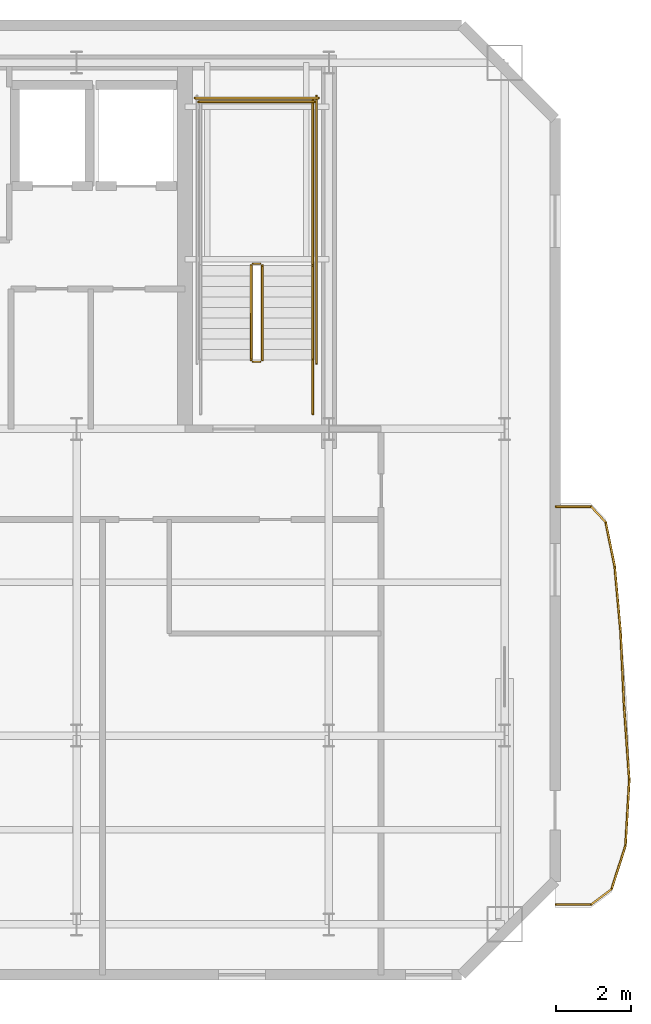
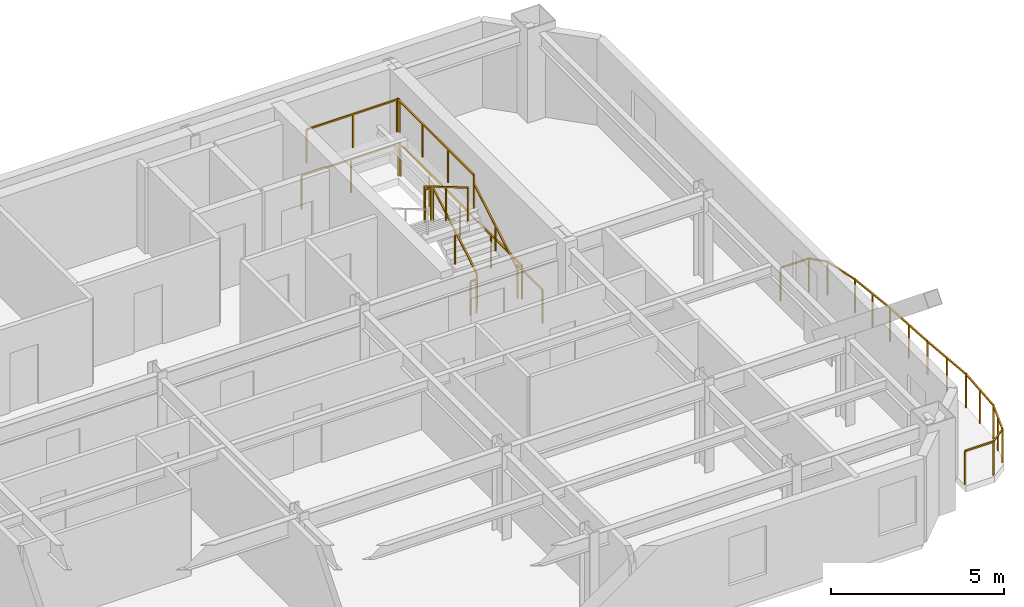
# One storey, part 6 of 6: 20 railings.
"""IFC4 building model written with IfcOpenShell, lengths in metres."""

from ifc_helpers import new_model, si_unit, direction, frame, origin, origin_2d, place, context, subcontext, project, spatial, rectangle, extrude, material, type_object, element, save


model = new_model("IFC4")

# Units and contexts
model_context = context("Model", 3, precision=1e-05, world=origin(), true_north=direction((0.0, 1.0)))
body_context = subcontext(model_context, "Body", "Model", "MODEL_VIEW")
ifc_project = project(units=[si_unit("LENGTHUNIT", "METRE"), si_unit("AREAUNIT", "SQUARE_METRE"), si_unit("VOLUMEUNIT", "CUBIC_METRE"), si_unit("PLANEANGLEUNIT", "RADIAN"), si_unit("MASSUNIT", "GRAM", prefix="KILO")], contexts=[model_context])

# Site, building, storey
site_placement = place(None, origin())
site = spatial("IfcSite", under=ifc_project, at=site_placement, CompositionType="ELEMENT")
building_placement = place(site_placement, origin())
building = spatial("IfcBuilding", under=site, at=building_placement, Name="Haevon Station Towers", CompositionType="ELEMENT")
storey_placement = place(building_placement, frame((0.0, 0.0, 262.5)))
storey = spatial("IfcBuildingStorey", under=building, at=storey_placement, Name="L73", CompositionType="ELEMENT", Elevation=262.5)

# Railings
ifc_material = material(Name="Steel S355", Category="steel")
railing_type_1 = type_object("IfcRailingType", Name="GRD-EXT1200", PredefinedType="GUARDRAIL", material=ifc_material)
railing_1_placement = place(storey_placement, frame((57.0732421875, 25.477783203125, 0.0)))
element("IfcRailing", 1, at=railing_1_placement, inside=storey, type_object=railing_type_1, Name="L73 Perimeter Guardrail 1", PredefinedType="GUARDRAIL", context=body_context, shape_type="SweptSolid", body=[
    extrude(rectangle(XDim=0.048095703125, YDim=0.048095703125, at=origin_2d()), frame((0.0, 0.0, 1.17578125), z_axis=(0.999997288846, 0.002328583596, 0.0), x_axis=(-0.002328583596, 0.999997288846, 0.0)), (0.0, 0.0, 1.0), 0.943603515625),
    extrude(rectangle(XDim=0.0419921875, YDim=0.0419921875, at=origin_2d()), origin(), (0.0, 0.0, 1.0), 1.15185546875),
    extrude(rectangle(XDim=0.0419921875, YDim=0.0419921875, at=origin_2d()), frame((0.943603515625, 0.002197265625, 0.0)), (0.0, 0.0, 1.0), 1.15185546875),
])
railing_2_placement = place(storey_placement, frame((58.016845703125, 25.47998046875, 0.0)))
element("IfcRailing", 2, at=railing_2_placement, inside=storey, type_object=railing_type_1, Name="L73 Perimeter Guardrail 2", PredefinedType="GUARDRAIL", context=body_context, shape_type="SweptSolid", body=[
    extrude(rectangle(XDim=0.048095703125, YDim=0.048095703125, at=origin_2d()), frame((0.0, 0.0, 1.17578125), z_axis=(0.79858156775, 0.601886600324, 0.0), x_axis=(-0.601886600324, 0.79858156775, 0.0)), (0.0, 0.0, 1.0), 0.6826171875),
    extrude(rectangle(XDim=0.0419921875, YDim=0.0419921875, at=origin_2d()), origin(), (0.0, 0.0, 1.0), 1.15185546875),
    extrude(rectangle(XDim=0.0419921875, YDim=0.0419921875, at=origin_2d()), frame((0.545166015625, 0.410888671875, 0.0)), (0.0, 0.0, 1.0), 1.15185546875),
])
railing_3_placement = place(storey_placement, frame((58.56201171875, 25.890869140625, 0.0)))
element("IfcRailing", 3, at=railing_3_placement, inside=storey, type_object=railing_type_1, Name="L73 Perimeter Guardrail 3", PredefinedType="GUARDRAIL", context=body_context, shape_type="SweptSolid", body=[
    extrude(rectangle(XDim=0.048095703125, YDim=0.048095703125, at=origin_2d()), frame((0.0, 0.0, 1.17578125), z_axis=(0.303310377939, 0.952891816858, 0.0), x_axis=(-0.952891816858, 0.303310377939, 0.0)), (0.0, 0.0, 1.0), 1.2275390625),
    extrude(rectangle(XDim=0.0419921875, YDim=0.0419921875, at=origin_2d()), origin(), (0.0, 0.0, 1.0), 1.15185546875),
    extrude(rectangle(XDim=0.0419921875, YDim=0.0419921875, at=origin_2d()), frame((0.18603515625, 0.5849609375, 0.0)), (0.0, 0.0, 1.0), 1.15185546875),
    extrude(rectangle(XDim=0.0419921875, YDim=0.0419921875, at=origin_2d()), frame((0.372314453125, 1.169677734375, 0.0)), (0.0, 0.0, 1.0), 1.15185546875),
])
railing_4_placement = place(storey_placement, frame((58.934326171875, 27.060546875, 0.0)))
element("IfcRailing", 4, at=railing_4_placement, inside=storey, type_object=railing_type_1, Name="L73 Perimeter Guardrail 4", PredefinedType="GUARDRAIL", context=body_context, shape_type="SweptSolid", body=[
    extrude(rectangle(XDim=0.048095703125, YDim=0.048095703125, at=origin_2d()), frame((0.0, 0.0, 1.17578125), z_axis=(0.057716779897, 0.99833299721, 0.0), x_axis=(-0.99833299721, 0.057716779897, 0.0)), (0.0, 0.0, 1.0), 1.751220703125),
    extrude(rectangle(XDim=0.0419921875, YDim=0.0419921875, at=origin_2d()), origin(), (0.0, 0.0, 1.0), 1.15185546875),
    extrude(rectangle(XDim=0.0419921875, YDim=0.0419921875, at=origin_2d()), frame((0.050537109375, 0.8740234375, 0.0)), (0.0, 0.0, 1.0), 1.15185546875),
    extrude(rectangle(XDim=0.0419921875, YDim=0.0419921875, at=origin_2d()), frame((0.10107421875, 1.748291015625, 0.0)), (0.0, 0.0, 1.0), 1.15185546875),
])
railing_5_placement = place(storey_placement, frame((59.035400390625, 28.808837890625, 0.0)))
element("IfcRailing", 5, at=railing_5_placement, inside=storey, type_object=railing_type_1, Name="L73 Perimeter Guardrail 5", PredefinedType="GUARDRAIL", context=body_context, shape_type="SweptSolid", body=[
    extrude(rectangle(XDim=0.048095703125, YDim=0.048095703125, at=origin_2d()), frame((0.0, 0.0, 1.17578125), z_axis=(-0.070082284887, 0.997541213858, 0.0), x_axis=(-0.997541213858, -0.070082284887, 0.0)), (0.0, 0.0, 1.0), 1.99609375),
    extrude(rectangle(XDim=0.0419921875, YDim=0.0419921875, at=origin_2d()), origin(), (0.0, 0.0, 1.0), 1.15185546875),
    extrude(rectangle(XDim=0.0419921875, YDim=0.0419921875, at=origin_2d()), frame((-0.06982421875, 0.99560546875, 0.0)), (0.0, 0.0, 1.0), 1.15185546875),
    extrude(rectangle(XDim=0.0419921875, YDim=0.0419921875, at=origin_2d()), frame((-0.139892578125, 1.9912109375, 0.0)), (0.0, 0.0, 1.0), 1.15185546875),
])
railing_6_placement = place(storey_placement, frame((58.8955078125, 30.800048828125, 0.0)))
element("IfcRailing", 6, at=railing_6_placement, inside=storey, type_object=railing_type_1, Name="L73 Perimeter Guardrail 6", PredefinedType="GUARDRAIL", context=body_context, shape_type="SweptSolid", body=[
    extrude(rectangle(XDim=0.048095703125, YDim=0.048095703125, at=origin_2d()), frame((0.0, 0.0, 1.17578125), z_axis=(-0.047454457012, 0.998873402644, 0.0), x_axis=(-0.998873402644, -0.047454457012, 0.0)), (0.0, 0.0, 1.0), 1.990966796875),
    extrude(rectangle(XDim=0.0419921875, YDim=0.0419921875, at=origin_2d()), origin(), (0.0, 0.0, 1.0), 1.15185546875),
    extrude(rectangle(XDim=0.0419921875, YDim=0.0419921875, at=origin_2d()), frame((-0.04736328125, 0.994384765625, 0.0)), (0.0, 0.0, 1.0), 1.15185546875),
    extrude(rectangle(XDim=0.0419921875, YDim=0.0419921875, at=origin_2d()), frame((-0.094482421875, 1.98876953125, 0.0)), (0.0, 0.0, 1.0), 1.15185546875),
])
railing_7_placement = place(storey_placement, frame((58.801025390625, 32.788818359375, 0.0)))
element("IfcRailing", 7, at=railing_7_placement, inside=storey, type_object=railing_type_1, Name="L73 Perimeter Guardrail 7", PredefinedType="GUARDRAIL", context=body_context, shape_type="SweptSolid", body=[
    extrude(rectangle(XDim=0.048095703125, YDim=0.048095703125, at=origin_2d()), frame((0.0, 0.0, 1.17578125), z_axis=(-0.090184923828, 0.995925037096, 0.0), x_axis=(-0.995925037096, -0.090184923828, 0.0)), (0.0, 0.0, 1.0), 1.7568359375),
    extrude(rectangle(XDim=0.0419921875, YDim=0.0419921875, at=origin_2d()), origin(), (0.0, 0.0, 1.0), 1.15185546875),
    extrude(rectangle(XDim=0.0419921875, YDim=0.0419921875, at=origin_2d()), frame((-0.0791015625, 0.875, 0.0)), (0.0, 0.0, 1.0), 1.15185546875),
    extrude(rectangle(XDim=0.0419921875, YDim=0.0419921875, at=origin_2d()), frame((-0.158447265625, 1.749755859375, 0.0)), (0.0, 0.0, 1.0), 1.15185546875),
])
railing_8_placement = place(storey_placement, frame((58.642578125, 34.53857421875, 0.0)))
element("IfcRailing", 8, at=railing_8_placement, inside=storey, type_object=railing_type_1, Name="L73 Perimeter Guardrail 8", PredefinedType="GUARDRAIL", context=body_context, shape_type="SweptSolid", body=[
    extrude(rectangle(XDim=0.048095703125, YDim=0.048095703125, at=origin_2d()), frame((0.0, 0.0, 1.17578125), z_axis=(-0.201456907622, 0.97949737844, 0.0), x_axis=(-0.97949737844, -0.201456907622, 0.0)), (0.0, 0.0, 1.0), 1.19482421875),
    extrude(rectangle(XDim=0.0419921875, YDim=0.0419921875, at=origin_2d()), origin(), (0.0, 0.0, 1.0), 1.15185546875),
    extrude(rectangle(XDim=0.0419921875, YDim=0.0419921875, at=origin_2d()), frame((-0.24072265625, 1.17041015625, 0.0)), (0.0, 0.0, 1.0), 1.15185546875),
])
railing_9_placement = place(storey_placement, frame((58.40185546875, 35.708984375, 0.0)))
element("IfcRailing", 9, at=railing_9_placement, inside=storey, type_object=railing_type_1, Name="L73 Perimeter Guardrail 9", PredefinedType="GUARDRAIL", context=body_context, shape_type="SweptSolid", body=[
    extrude(rectangle(XDim=0.048095703125, YDim=0.048095703125, at=origin_2d()), frame((0.0, 0.0, 1.17578125), z_axis=(-0.68353731977, 0.72991556531, 0.0), x_axis=(-0.72991556531, -0.68353731977, 0.0)), (0.0, 0.0, 1.0), 0.563232421875),
    extrude(rectangle(XDim=0.0419921875, YDim=0.0419921875, at=origin_2d()), origin(), (0.0, 0.0, 1.0), 1.15185546875),
    extrude(rectangle(XDim=0.0419921875, YDim=0.0419921875, at=origin_2d()), frame((-0.385009765625, 0.4111328125, 0.0)), (0.0, 0.0, 1.0), 1.15185546875),
])
railing_10_placement = place(storey_placement, frame((58.016845703125, 36.1201171875, 0.0)))
element("IfcRailing", 10, at=railing_10_placement, inside=storey, type_object=railing_type_1, Name="L73 Perimeter Guardrail 10", PredefinedType="GUARDRAIL", context=body_context, shape_type="SweptSolid", body=[
    extrude(rectangle(XDim=0.048095703125, YDim=0.048095703125, at=origin_2d()), frame((0.0, 0.0, 1.17578125), z_axis=(-0.999997857851, 0.002069853263, 0.0), x_axis=(-0.002069853263, -0.999997857851, 0.0)), (0.0, 0.0, 1.0), 0.943603515625),
    extrude(rectangle(XDim=0.0419921875, YDim=0.0419921875, at=origin_2d()), origin(), (0.0, 0.0, 1.0), 1.15185546875),
    extrude(rectangle(XDim=0.0419921875, YDim=0.0419921875, at=origin_2d()), frame((-0.943603515625, 0.001953125, 0.0)), (0.0, 0.0, 1.0), 1.15185546875),
])
railing_type_2 = type_object("IfcRailingType", Name="GRD-STR1200", PredefinedType="GUARDRAIL", material=ifc_material)
railing_11_placement = place(storey_placement, frame((49.219970703125, 40.050048828125, 0.1650390625)))
element("IfcRailing", 11, at=railing_11_placement, inside=storey, type_object=railing_type_2, Name="L73 ST2 Stair Guard 1", PredefinedType="GUARDRAIL", context=body_context, shape_type="SweptSolid", body=[
    extrude(rectangle(XDim=0.048095703125, YDim=0.048095703125, at=origin_2d()), frame((0.0, 0.0, 1.17578125), z_axis=(0.0, 0.861560626758, 0.507654692109), x_axis=(-1.0, 0.0, 0.0)), (0.0, 0.0, 1.0), 2.925048828125),
    extrude(rectangle(XDim=0.0419921875, YDim=0.0419921875, at=origin_2d()), origin(), (0.0, 0.0, 1.0), 1.15185546875),
    extrude(rectangle(XDim=0.0419921875, YDim=0.0419921875, at=origin_2d()), frame((0.0, 1.260009765625, 0.742431640625)), (0.0, 0.0, 1.0), 1.15185546875),
    extrude(rectangle(XDim=0.0419921875, YDim=0.0419921875, at=origin_2d()), frame((0.0, 2.52001953125, 1.48486328125)), (0.0, 0.0, 1.0), 1.15185546875),
])
railing_12_placement = place(storey_placement, frame((49.169921875, 42.6201171875, 1.64990234375)))
element("IfcRailing", 12, at=railing_12_placement, inside=storey, type_object=railing_type_2, Name="L73 ST2 Stair Guard 2", PredefinedType="GUARDRAIL", context=body_context, shape_type="SweptSolid", body=[
    extrude(rectangle(XDim=0.048095703125, YDim=0.048095703125, at=origin_2d()), frame((0.0, 0.0, 1.17578125), z_axis=(-1.0, 0.0, 0.0), x_axis=(0.0, -1.0, 0.0)), (0.0, 0.0, 1.0), 0.199951171875),
    extrude(rectangle(XDim=0.0419921875, YDim=0.0419921875, at=origin_2d()), origin(), (0.0, 0.0, 1.0), 1.15185546875),
    extrude(rectangle(XDim=0.0419921875, YDim=0.0419921875, at=origin_2d()), frame((-0.199951171875, 0.0, 0.0)), (0.0, 0.0, 1.0), 1.15185546875),
])
railing_13_placement = place(storey_placement, frame((50.570068359375, 42.570068359375, 1.64990234375)))
element("IfcRailing", 13, at=railing_13_placement, inside=storey, type_object=railing_type_2, Name="L73 ST2 Stair Guard 3", PredefinedType="GUARDRAIL", context=body_context, shape_type="SweptSolid", body=[
    extrude(rectangle(XDim=0.048095703125, YDim=0.048095703125, at=origin_2d()), frame((0.0, 0.0, 1.17578125), z_axis=(0.0, 1.0, 0.0), x_axis=(-1.0, 0.0, 0.0)), (0.0, 0.0, 1.0), 4.429931640625),
    extrude(rectangle(XDim=0.0419921875, YDim=0.0419921875, at=origin_2d()), origin(), (0.0, 0.0, 1.0), 1.15185546875),
    extrude(rectangle(XDim=0.0419921875, YDim=0.0419921875, at=origin_2d()), frame((0.0, 1.4765625, 0.0)), (0.0, 0.0, 1.0), 1.15185546875),
    extrude(rectangle(XDim=0.0419921875, YDim=0.0419921875, at=origin_2d()), frame((0.0, 2.953369140625, 0.0)), (0.0, 0.0, 1.0), 1.15185546875),
    extrude(rectangle(XDim=0.0419921875, YDim=0.0419921875, at=origin_2d()), frame((0.0, 4.429931640625, 0.0)), (0.0, 0.0, 1.0), 1.15185546875),
])
railing_14_placement = place(storey_placement, frame((50.6201171875, 46.949951171875, 1.64990234375)))
element("IfcRailing", 14, at=railing_14_placement, inside=storey, type_object=railing_type_2, Name="L73 ST2 Stair Guard 5", PredefinedType="GUARDRAIL", context=body_context, shape_type="SweptSolid", body=[
    extrude(rectangle(XDim=0.048095703125, YDim=0.048095703125, at=origin_2d()), frame((0.0, 0.0, 1.17578125), z_axis=(-1.0, 0.0, 0.0), x_axis=(0.0, -1.0, 0.0)), (0.0, 0.0, 1.0), 3.10009765625),
    extrude(rectangle(XDim=0.0419921875, YDim=0.0419921875, at=origin_2d()), origin(), (0.0, 0.0, 1.0), 1.15185546875),
    extrude(rectangle(XDim=0.0419921875, YDim=0.0419921875, at=origin_2d()), frame((-1.550048828125, 0.0, 0.0)), (0.0, 0.0, 1.0), 1.15185546875),
    extrude(rectangle(XDim=0.0419921875, YDim=0.0419921875, at=origin_2d()), frame((-3.10009765625, 0.0, 0.0)), (0.0, 0.0, 1.0), 1.15185546875),
])
railing_15_placement = place(storey_placement, frame((48.919921875, 42.570068359375, 1.81494140625)))
element("IfcRailing", 15, at=railing_15_placement, inside=storey, type_object=railing_type_2, Name="L73 ST2 Stair Guard 6", PredefinedType="GUARDRAIL", context=body_context, shape_type="SweptSolid", body=[
    extrude(rectangle(XDim=0.048095703125, YDim=0.048095703125, at=origin_2d()), frame((0.0, 0.0, 1.17578125), z_axis=(0.0, -0.86152411907, 0.507716645641), x_axis=(1.0, 0.0, 0.0)), (0.0, 0.0, 1.0), 2.925048828125),
    extrude(rectangle(XDim=0.0419921875, YDim=0.0419921875, at=origin_2d()), origin(), (0.0, 0.0, 1.0), 1.15185546875),
    extrude(rectangle(XDim=0.0419921875, YDim=0.0419921875, at=origin_2d()), frame((0.0, -1.260009765625, 0.74267578125)), (0.0, 0.0, 1.0), 1.15185546875),
    extrude(rectangle(XDim=0.0419921875, YDim=0.0419921875, at=origin_2d()), frame((0.0, -2.52001953125, 1.485107421875)), (0.0, 0.0, 1.0), 1.15185546875),
])
railing_16_placement = place(storey_placement, frame((49.169921875, 40.0, 0.0)))
element("IfcRailing", 16, at=railing_16_placement, inside=storey, type_object=railing_type_2, Name="L73 ST2 Stair Guard 7", PredefinedType="GUARDRAIL", context=body_context, shape_type="SweptSolid", body=[
    extrude(rectangle(XDim=0.048095703125, YDim=0.048095703125, at=origin_2d()), frame((0.0, 0.0, 1.17578125), z_axis=(-1.0, 0.0, 0.0), x_axis=(0.0, -1.0, 0.0)), (0.0, 0.0, 1.0), 0.199951171875),
    extrude(rectangle(XDim=0.0419921875, YDim=0.0419921875, at=origin_2d()), origin(), (0.0, 0.0, 1.0), 1.15185546875),
    extrude(rectangle(XDim=0.0419921875, YDim=0.0419921875, at=origin_2d()), frame((-0.199951171875, 0.0, 0.0)), (0.0, 0.0, 1.0), 1.15185546875),
])
railing_17_placement = place(storey_placement, frame((50.570068359375, 38.60009765625, 0.0)))
element("IfcRailing", 17, at=railing_17_placement, inside=storey, type_object=railing_type_2, Name="L73 ST2 Stair Guard 8", PredefinedType="GUARDRAIL", context=body_context, shape_type="SweptSolid", body=[
    extrude(rectangle(XDim=0.048095703125, YDim=0.048095703125, at=origin_2d()), frame((0.0, 0.0, 1.17578125), z_axis=(0.0, 1.0, 0.0), x_axis=(-1.0, 0.0, 0.0)), (0.0, 0.0, 1.0), 1.449951171875),
    extrude(rectangle(XDim=0.0419921875, YDim=0.0419921875, at=origin_2d()), origin(), (0.0, 0.0, 1.0), 1.15185546875),
    extrude(rectangle(XDim=0.0419921875, YDim=0.0419921875, at=origin_2d()), frame((0.0, 1.449951171875, 0.0)), (0.0, 0.0, 1.0), 1.15185546875),
])
railing_18_placement = place(storey_placement, frame((50.669921875, 39.949951171875, 0.0)))
element("IfcRailing", 18, at=railing_18_placement, inside=storey, type_object=railing_type_2, Name="L73 ST2 Stair Guard 10", PredefinedType="GUARDRAIL", context=body_context, shape_type="SweptSolid", body=[
    extrude(rectangle(XDim=0.048095703125, YDim=0.048095703125, at=origin_2d()), frame((0.0, 0.0, 1.17578125), z_axis=(0.0, 1.0, 0.0), x_axis=(-1.0, 0.0, 0.0)), (0.0, 0.0, 1.0), 7.150146484375),
    extrude(rectangle(XDim=0.0419921875, YDim=0.0419921875, at=origin_2d()), origin(), (0.0, 0.0, 1.0), 1.15185546875),
    extrude(rectangle(XDim=0.0419921875, YDim=0.0419921875, at=origin_2d()), frame((0.0, 1.78759765625, 0.0)), (0.0, 0.0, 1.0), 1.15185546875),
    extrude(rectangle(XDim=0.0419921875, YDim=0.0419921875, at=origin_2d()), frame((0.0, 3.5751953125, 0.0)), (0.0, 0.0, 1.0), 1.15185546875),
    extrude(rectangle(XDim=0.0419921875, YDim=0.0419921875, at=origin_2d()), frame((0.0, 5.362548828125, 0.0)), (0.0, 0.0, 1.0), 1.15185546875),
    extrude(rectangle(XDim=0.0419921875, YDim=0.0419921875, at=origin_2d()), frame((0.0, 7.150146484375, 0.0)), (0.0, 0.0, 1.0), 1.15185546875),
])
railing_19_placement = place(storey_placement, frame((50.719970703125, 47.050048828125, 0.0)))
element("IfcRailing", 19, at=railing_19_placement, inside=storey, type_object=railing_type_2, Name="L73 ST2 Stair Guard 12", PredefinedType="GUARDRAIL", context=body_context, shape_type="SweptSolid", body=[
    extrude(rectangle(XDim=0.048095703125, YDim=0.048095703125, at=origin_2d()), frame((0.0, 0.0, 1.17578125), z_axis=(-1.0, 0.0, 0.0), x_axis=(0.0, -1.0, 0.0)), (0.0, 0.0, 1.0), 3.300048828125),
    extrude(rectangle(XDim=0.0419921875, YDim=0.0419921875, at=origin_2d()), origin(), (0.0, 0.0, 1.0), 1.15185546875),
    extrude(rectangle(XDim=0.0419921875, YDim=0.0419921875, at=origin_2d()), frame((-1.64990234375, 0.0, 0.0)), (0.0, 0.0, 1.0), 1.15185546875),
    extrude(rectangle(XDim=0.0419921875, YDim=0.0419921875, at=origin_2d()), frame((-3.300048828125, 0.0, 0.0)), (0.0, 0.0, 1.0), 1.15185546875),
])
railing_type_3 = type_object("IfcRailingType", Name="HND-STR900", PredefinedType="HANDRAIL", material=ifc_material)
railing_20_placement = place(storey_placement, frame((50.570068359375, 40.050048828125, 0.1650390625)))
element("IfcRailing", 20, at=railing_20_placement, inside=storey, type_object=railing_type_3, Name="L73 ST2 Stair Handrail 1", PredefinedType="HANDRAIL", context=body_context, shape_type="SweptSolid", body=[
    extrude(rectangle(XDim=0.048095703125, YDim=0.048095703125, at=origin_2d()), frame((0.0, 0.0, 0.8759765625), z_axis=(0.0, 0.861560626758, 0.507654692109), x_axis=(-1.0, 0.0, 0.0)), (0.0, 0.0, 1.0), 2.925048828125),
    extrude(rectangle(XDim=0.0419921875, YDim=0.0419921875, at=origin_2d()), origin(), (0.0, 0.0, 1.0), 0.851806640625),
    extrude(rectangle(XDim=0.0419921875, YDim=0.0419921875, at=origin_2d()), frame((0.0, 1.260009765625, 0.742431640625)), (0.0, 0.0, 1.0), 0.851806640625),
    extrude(rectangle(XDim=0.0419921875, YDim=0.0419921875, at=origin_2d()), frame((0.0, 2.52001953125, 1.48486328125)), (0.0, 0.0, 1.0), 0.851806640625),
])

save(model, "model.ifc")
